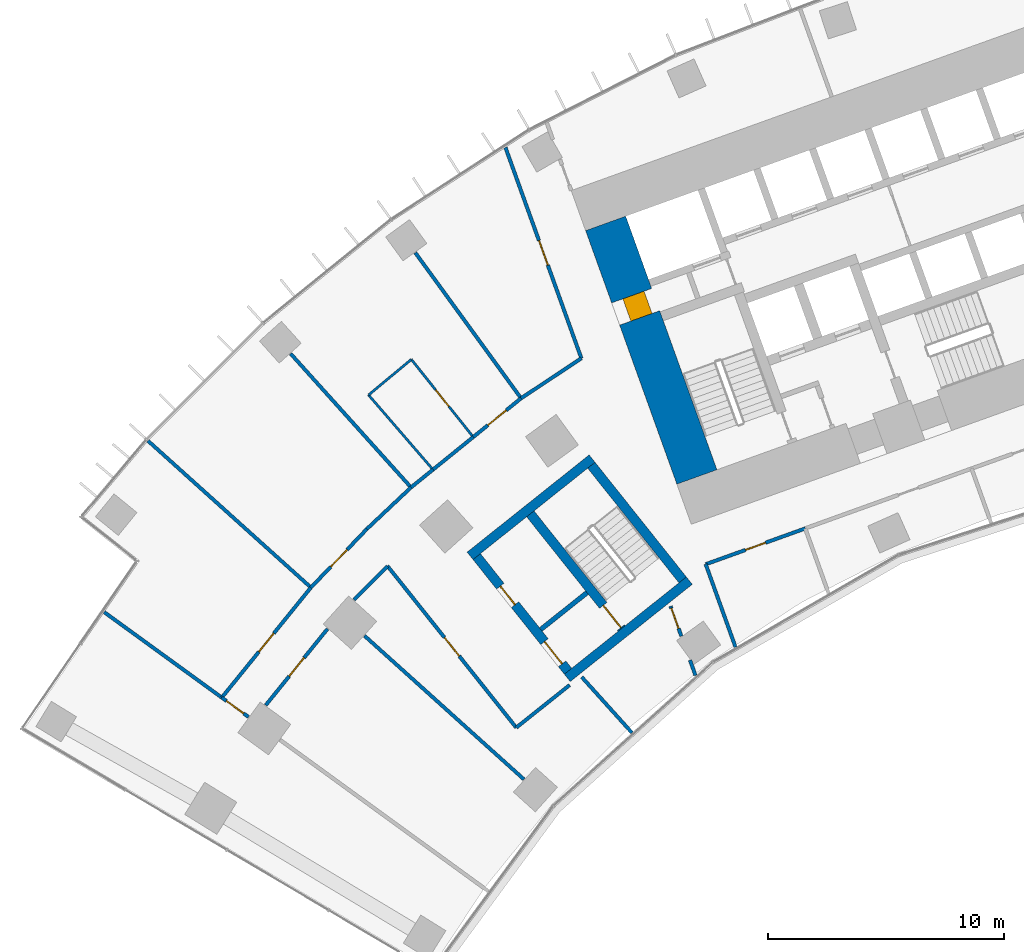
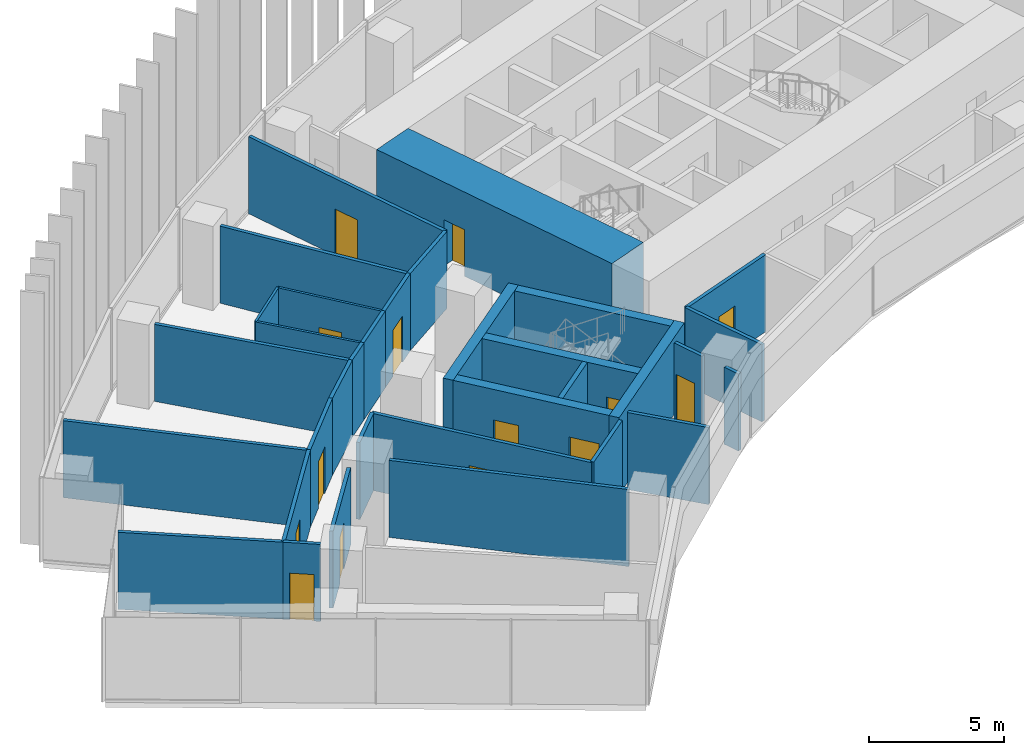
# One storey, part 17 of 24: 33 walls, 14 doors, 14 openings.
"""IFC4 building model written with IfcOpenShell, lengths in metres."""

from ifc_helpers import new_model, si_unit, direction, frame, frame_2d, origin, place, context, subcontext, project, spatial, rectangle, extrude, material, layer, layer_set, type_object, element, fill, save


model = new_model("IFC4")

# Units and contexts
model_context = context("Model", 3, precision=1e-05, world=origin(), true_north=direction((0.0, 1.0)))
body_context = subcontext(model_context, "Body", "Model", "MODEL_VIEW")
ifc_project = project(units=[si_unit("LENGTHUNIT", "METRE"), si_unit("AREAUNIT", "SQUARE_METRE"), si_unit("VOLUMEUNIT", "CUBIC_METRE"), si_unit("PLANEANGLEUNIT", "RADIAN"), si_unit("MASSUNIT", "GRAM", prefix="KILO")], contexts=[model_context])

# Site, building, storey
site_placement = place(None, origin())
site = spatial("IfcSite", under=ifc_project, at=site_placement, CompositionType="ELEMENT")
building_placement = place(site_placement, origin())
building = spatial("IfcBuilding", under=site, at=building_placement, Name="Stone Belt Terrace Tower", CompositionType="ELEMENT")
storey_placement = place(building_placement, frame((0.0, 0.0, 64.199951171875)))
storey = spatial("IfcBuildingStorey", under=building, at=storey_placement, Name="L15", CompositionType="ELEMENT", Elevation=64.199951171875)

# Wall, opening, door
ifc_material_1 = material(Name="Concrete B80", Category="concrete")
ifc_layer_1 = layer(ifc_material_1, 1.800048828125)
ifc_layer_set_1 = layer_set([ifc_layer_1], Name="Core wall 1800 B80")
wall_type_1 = type_object("IfcWallType", Name="Core wall 1800 B80", PredefinedType="SHEAR", material=ifc_layer_set_1)
wall_1_placement = place(storey_placement, frame((-26.197509765625, 42.96728515625, 0.0), z_axis=(0.0, 0.0, 1.0), x_axis=(-0.338625431531, 0.940921259788, 0.0)))
wall_1 = element("IfcWall", 1, at=wall_1_placement, inside=storey, type_object=wall_type_1, Name="Core A wall end_a L15", PredefinedType="SHEAR", context=body_context, shape_type="SweptSolid", body=[
    extrude(rectangle(XDim=11.400146484375, YDim=1.800048828125, at=frame_2d((5.7001953125, 0.0))), origin(), (0.0, 0.0, 1.0), 3.800048828125),
])
opening_1_placement = place(wall_1_placement, frame((7.150146484375, 0.0, 0.0)))
opening_1 = element("IfcOpeningElement", 2, at=opening_1_placement, cuts=wall_1, Name="Opening L15-C01", PredefinedType="OPENING", context=body_context, shape_type="SweptSolid", body=[
    extrude(rectangle(XDim=1.0, YDim=2.10009765625, at=frame_2d((0.5, 1.050048828125))), frame((0.0, 0.909912109375, 0.0), z_axis=(0.0, -1.0, 0.0), x_axis=(1.0, 0.0, 0.0)), (0.0, 0.0, 1.0), 1.820068359375),
])
ifc_material_2 = material(Name="Timber door leaf", Category="wood")
door_type_1 = type_object("IfcDoorType", Name="Core room door 1000", OperationType="SINGLE_SWING_LEFT", PredefinedType="DOOR", material=ifc_material_2)
door_1_placement = place(opening_1_placement, origin())
door_1 = element("IfcDoor", 3, at=door_1_placement, inside=storey, type_object=door_type_1, Name="Door to Telecommunications riser room core A", OperationType="SINGLE_SWING_RIGHT", OverallHeight=2.10009765625, OverallWidth=1.0, PredefinedType="DOOR", context=body_context, shape_type="SweptSolid", body=[
    extrude(rectangle(XDim=1.0, YDim=2.10009765625, at=frame_2d((0.5, 1.050048828125))), frame((0.0, 0.39501953125, 0.0), z_axis=(0.0, -1.0, 0.0), x_axis=(1.0, 0.0, 0.0)), (0.0, 0.0, 1.0), 0.949951171875),
])
fill(opening_1, door_1)

ifc_material_3 = material(Name="Gypsum board partition")
ifc_layer_2 = layer(ifc_material_3, 0.10009765625)
ifc_layer_set_2 = layer_set([ifc_layer_2], Name="PARTITION 100")
wall_type_2 = type_object("IfcWallType", Name="PARTITION 100", PredefinedType="PARTITIONING", material=ifc_layer_set_2)
wall_2_placement = place(storey_placement, frame((-35.658935546875, 44.657958984375, 0.0), z_axis=(0.0, 0.0, 1.0), x_axis=(-0.623872039907, 0.781526504875, 0.0)))
wall_2 = element("IfcWall", 4, at=wall_2_placement, inside=storey, type_object=wall_type_2, Name="L15/wall/i054", PredefinedType="PARTITIONING", context=body_context, shape_type="SweptSolid", body=[
    extrude(rectangle(XDim=4.1982421875, YDim=0.10009765625, at=frame_2d((2.09912109375, 0.0))), origin(), (0.0, 0.0, 1.0), 3.47998046875),
])
opening_2_placement = place(wall_2_placement, frame((1.649169921875, 0.0, 0.0)))
opening_2 = element("IfcOpeningElement", 5, at=opening_2_placement, cuts=wall_2, Name="Opening D-A4-18", PredefinedType="OPENING", context=body_context, shape_type="SweptSolid", body=[
    extrude(rectangle(XDim=0.89990234375, YDim=2.10009765625, at=frame_2d((0.449951171875, 1.050048828125))), frame((0.0, 0.06005859375, 0.0), z_axis=(0.0, -1.0, 0.0), x_axis=(1.0, 0.0, 0.0)), (0.0, 0.0, 1.0), 0.1201171875),
])
door_type_2 = type_object("IfcDoorType", Name="OFFICE DOOR 900 X 2100", OperationType="NOTDEFINED", PredefinedType="DOOR", material=ifc_material_2)
door_2_placement = place(opening_2_placement, origin())
door_2 = element("IfcDoor", 6, at=door_2_placement, inside=storey, type_object=door_type_2, Name="L15/door/i18", OperationType="SINGLE_SWING_RIGHT", OverallHeight=2.10009765625, OverallWidth=0.89990234375, PredefinedType="DOOR", context=body_context, shape_type="SweptSolid", body=[
    extrude(rectangle(XDim=0.89990234375, YDim=2.10009765625, at=frame_2d((0.449951171875, 1.050048828125))), frame((0.0, 0.02490234375, 0.0), z_axis=(0.0, -1.0, 0.0), x_axis=(1.0, 0.0, 0.0)), (0.0, 0.0, 1.0), 0.050048828125),
])
fill(opening_2, door_2)

# Walls
wall_3_placement = place(storey_placement, frame((-38.278076171875, 47.93896484375, 0.0), z_axis=(0.0, 0.0, 1.0), x_axis=(-0.769317491723, -0.63886665035, 0.0)))
element("IfcWall", 7, at=wall_3_placement, inside=storey, type_object=wall_type_2, Name="L15/wall/i055", PredefinedType="PARTITIONING", context=body_context, shape_type="SweptSolid", body=[
    extrude(rectangle(XDim=2.3525390625, YDim=0.10009765625, at=frame_2d((1.17626953125, 0.0))), origin(), (0.0, 0.0, 1.0), 3.47998046875),
])
wall_4_placement = place(storey_placement, frame((-40.087890625, 46.43603515625, 0.0), z_axis=(0.0, 0.0, 1.0), x_axis=(0.653414148452, -0.757000627875, 0.0)))
element("IfcWall", 8, at=wall_4_placement, inside=storey, type_object=wall_type_2, Name="L15/wall/i056", PredefinedType="PARTITIONING", context=body_context, shape_type="SweptSolid", body=[
    extrude(rectangle(XDim=4.171630859375, YDim=0.10009765625, at=frame_2d((2.0859375, 0.0))), origin(), (0.0, 0.0, 1.0), 3.47998046875),
])
ifc_layer_3 = layer(ifc_material_3, 0.14990234375)
ifc_layer_set_3 = layer_set([ifc_layer_3], Name="PARTITION 150 EI 60")
wall_type_3 = type_object("IfcWallType", Name="PARTITION 150 EI 60", PredefinedType="PARTITIONING", material=ifc_layer_set_3)
wall_5_placement = place(storey_placement, frame((-25.826904296875, 39.281005859375, 0.0), z_axis=(0.0, 0.0, 1.0), x_axis=(0.338392582605, -0.941005026574, 0.0)))
element("IfcWall", 9, at=wall_5_placement, inside=storey, type_object=wall_type_3, Name="L15/wall/i001", PredefinedType="PARTITIONING", context=body_context, shape_type="SweptSolid", body=[
    extrude(rectangle(XDim=3.729248046875, YDim=0.14990234375, at=frame_2d((1.86474609375, 0.0))), origin(), (0.0, 0.0, 1.0), 3.47998046875),
])
wall_6_placement = place(storey_placement, frame((-26.25732421875, 34.572021484375, 0.0), z_axis=(0.0, 0.0, 1.0), x_axis=(-0.338832657553, 0.940846656037, 0.0)))
element("IfcWall", 10, at=wall_6_placement, inside=storey, type_object=wall_type_3, Name="L15/wall/i004", PredefinedType="PARTITIONING", context=body_context, shape_type="SweptSolid", body=[
    extrude(rectangle(XDim=0.6875, YDim=0.14990234375, at=frame_2d((0.34375, 0.0))), origin(), (0.0, 0.0, 1.0), 3.47998046875),
])

# Wall, opening, door
wall_7_placement = place(storey_placement, frame((-26.85595703125, 36.234619140625, 0.0), z_axis=(0.0, 0.0, 1.0), x_axis=(-0.338828657155, 0.940848096714, 0.0)))
wall_7 = element("IfcWall", 11, at=wall_7_placement, inside=storey, type_object=wall_type_3, Name="L15/wall/i005", PredefinedType="PARTITIONING", context=body_context, shape_type="SweptSolid", body=[
    extrude(rectangle(XDim=1.345947265625, YDim=0.14990234375, at=frame_2d((0.6728515625, 0.0))), origin(), (0.0, 0.0, 1.0), 3.47998046875),
])
opening_3_placement = place(wall_7_placement, frame((0.3515625, 0.0, 0.0)))
opening_3 = element("IfcOpeningElement", 12, at=opening_3_placement, cuts=wall_7, Name="Opening D-A4-13", PredefinedType="OPENING", context=body_context, shape_type="SweptSolid", body=[
    extrude(rectangle(XDim=0.89990234375, YDim=2.10009765625, at=frame_2d((0.449951171875, 1.050048828125))), frame((0.0, 0.0849609375, 0.0), z_axis=(0.0, -1.0, 0.0), x_axis=(1.0, 0.0, 0.0)), (0.0, 0.0, 1.0), 0.169921875),
])
ifc_material_4 = material(Name="Timber fire door leaf", Category="wood")
door_type_3 = type_object("IfcDoorType", Name="TENANCY ENTRANCE DOOR 900 X 2100", OperationType="NOTDEFINED", PredefinedType="DOOR", material=ifc_material_4)
door_3_placement = place(opening_3_placement, origin())
door_3 = element("IfcDoor", 13, at=door_3_placement, inside=storey, type_object=door_type_3, Name="L15/door/i13", OperationType="SINGLE_SWING_RIGHT", OverallHeight=2.10009765625, OverallWidth=0.89990234375, PredefinedType="DOOR", context=body_context, shape_type="SweptSolid", body=[
    extrude(rectangle(XDim=0.89990234375, YDim=2.10009765625, at=frame_2d((0.449951171875, 1.050048828125))), frame((0.0, 0.02490234375, 0.0), z_axis=(0.0, -1.0, 0.0), x_axis=(1.0, 0.0, 0.0)), (0.0, 0.0, 1.0), 0.050048828125),
])
fill(opening_3, door_3)

wall_8_placement = place(storey_placement, frame((-31.0830078125, 47.98193359375, 0.0), z_axis=(0.0, 0.0, 1.0), x_axis=(-0.338806014878, 0.940856250594, 0.0)))
wall_8 = element("IfcWall", 14, at=wall_8_placement, inside=storey, type_object=wall_type_3, Name="L15/wall/i006", PredefinedType="PARTITIONING", context=body_context, shape_type="SweptSolid", body=[
    extrude(rectangle(XDim=9.489501953125, YDim=0.14990234375, at=frame_2d((4.74462890625, 0.0))), origin(), (0.0, 0.0, 1.0), 3.47998046875),
])
opening_4_placement = place(wall_8_placement, frame((4.194580078125, 0.0, 0.0)))
opening_4 = element("IfcOpeningElement", 15, at=opening_4_placement, cuts=wall_8, Name="Opening D-A4-16", PredefinedType="OPENING", context=body_context, shape_type="SweptSolid", body=[
    extrude(rectangle(XDim=1.10009765625, YDim=2.10009765625, at=frame_2d((0.550048828125, 1.050048828125))), frame((0.0, 0.0849609375, 0.0), z_axis=(0.0, -1.0, 0.0), x_axis=(1.0, 0.0, 0.0)), (0.0, 0.0, 1.0), 0.169921875),
])
ifc_material_5 = material(Name="Steel fire door set", Category="steel")
door_type_4 = type_object("IfcDoorType", Name="SERVICE ROOM DOOR 1100 X 2100", OperationType="NOTDEFINED", PredefinedType="DOOR", material=ifc_material_5)
door_4_placement = place(opening_4_placement, origin())
door_4 = element("IfcDoor", 16, at=door_4_placement, inside=storey, type_object=door_type_4, Name="L15/door/i16", OperationType="SINGLE_SWING_LEFT", OverallHeight=2.10009765625, OverallWidth=1.10009765625, PredefinedType="DOOR", context=body_context, shape_type="SweptSolid", body=[
    extrude(rectangle(XDim=1.10009765625, YDim=2.10009765625, at=frame_2d((0.550048828125, 1.050048828125))), frame((0.0, 0.02490234375, 0.0), z_axis=(0.0, -1.0, 0.0), x_axis=(1.0, 0.0, 0.0)), (0.0, 0.0, 1.0), 0.050048828125),
])
fill(opening_4, door_4)

wall_9_placement = place(storey_placement, frame((-21.610107421875, 40.7919921875, 0.0), z_axis=(0.0, 0.0, 1.0), x_axis=(-0.940905474606, -0.338669289805, 0.0)))
wall_9 = element("IfcWall", 17, at=wall_9_placement, inside=storey, type_object=wall_type_3, Name="L15/wall/i011", PredefinedType="PARTITIONING", context=body_context, shape_type="SweptSolid", body=[
    extrude(rectangle(XDim=4.4794921875, YDim=0.14990234375, at=frame_2d((2.23974609375, 0.0))), origin(), (0.0, 0.0, 1.0), 3.47998046875),
])
opening_5_placement = place(wall_9_placement, frame((1.789794921875, 0.0, 0.0)))
opening_5 = element("IfcOpeningElement", 18, at=opening_5_placement, cuts=wall_9, Name="Opening D-A4-01", PredefinedType="OPENING", context=body_context, shape_type="SweptSolid", body=[
    extrude(rectangle(XDim=0.89990234375, YDim=2.10009765625, at=frame_2d((0.449951171875, 1.050048828125))), frame((0.0, 0.0849609375, 0.0), z_axis=(0.0, -1.0, 0.0), x_axis=(1.0, 0.0, 0.0)), (0.0, 0.0, 1.0), 0.169921875),
])
door_5_placement = place(opening_5_placement, origin())
door_5 = element("IfcDoor", 19, at=door_5_placement, inside=storey, type_object=door_type_2, Name="L15/door/i01", OperationType="SINGLE_SWING_RIGHT", OverallHeight=2.10009765625, OverallWidth=0.89990234375, PredefinedType="DOOR", context=body_context, shape_type="SweptSolid", body=[
    extrude(rectangle(XDim=0.89990234375, YDim=2.10009765625, at=frame_2d((0.449951171875, 1.050048828125))), frame((0.0, 0.02490234375, 0.0), z_axis=(0.0, -1.0, 0.0), x_axis=(1.0, 0.0, 0.0)), (0.0, 0.0, 1.0), 0.050048828125),
])
fill(opening_5, door_5)

wall_10_placement = place(storey_placement, frame((-45.167236328125, 32.816162109375, 0.0), z_axis=(0.0, 0.0, 1.0), x_axis=(-0.809353623303, 0.587321643094, 0.0)))
wall_10 = element("IfcWall", 20, at=wall_10_placement, inside=storey, type_object=wall_type_3, Name="L15/wall/i037", PredefinedType="PARTITIONING", context=body_context, shape_type="SweptSolid", body=[
    extrude(rectangle(XDim=1.40087890625, YDim=0.14990234375, at=frame_2d((0.700439453125, 0.0))), origin(), (0.0, 0.0, 1.0), 3.47998046875),
])
opening_6_placement = place(wall_10_placement, frame((0.25048828125, 0.0, 0.0)))
opening_6 = element("IfcOpeningElement", 21, at=opening_6_placement, cuts=wall_10, Name="Opening D-A4-12", PredefinedType="OPENING", context=body_context, shape_type="SweptSolid", body=[
    extrude(rectangle(XDim=0.89990234375, YDim=2.10009765625, at=frame_2d((0.449951171875, 1.050048828125))), frame((0.0, 0.0849609375, 0.0), z_axis=(0.0, -1.0, 0.0), x_axis=(1.0, 0.0, 0.0)), (0.0, 0.0, 1.0), 0.169921875),
])
door_6_placement = place(opening_6_placement, origin())
door_6 = element("IfcDoor", 22, at=door_6_placement, inside=storey, type_object=door_type_2, Name="L15/door/i12", OperationType="SINGLE_SWING_RIGHT", OverallHeight=2.10009765625, OverallWidth=0.89990234375, PredefinedType="DOOR", context=body_context, shape_type="SweptSolid", body=[
    extrude(rectangle(XDim=0.89990234375, YDim=2.10009765625, at=frame_2d((0.449951171875, 1.050048828125))), frame((0.0, 0.02490234375, 0.0), z_axis=(0.0, -1.0, 0.0), x_axis=(1.0, 0.0, 0.0)), (0.0, 0.0, 1.0), 0.050048828125),
])
fill(opening_6, door_6)

# Walls
wall_11_placement = place(storey_placement, frame((-51.27294921875, 37.251708984375, 0.0), z_axis=(0.0, 0.0, 1.0), x_axis=(0.809013729568, -0.587789745887, 0.0)))
element("IfcWall", 23, at=wall_11_placement, inside=storey, type_object=wall_type_3, Name="L15/wall/i039", PredefinedType="PARTITIONING", context=body_context, shape_type="SweptSolid", body=[
    extrude(rectangle(XDim=6.157958984375, YDim=0.14990234375, at=frame_2d((3.0791015625, 0.0))), origin(), (0.0, 0.0, 1.0), 3.47998046875),
])
wall_12_placement = place(storey_placement, frame((-33.635986328125, 46.2958984375, 0.0), z_axis=(0.0, 0.0, 1.0), x_axis=(0.833385857539, 0.552691607005, 0.0)))
element("IfcWall", 24, at=wall_12_placement, inside=storey, type_object=wall_type_3, Name="L15/wall/i040", PredefinedType="PARTITIONING", context=body_context, shape_type="SweptSolid", body=[
    extrude(rectangle(XDim=3.059814453125, YDim=0.14990234375, at=frame_2d((1.52978515625, 0.0))), origin(), (0.0, 0.0, 1.0), 3.47998046875),
])
wall_13_placement = place(storey_placement, frame((-38.2900390625, 42.527099609375, 0.0), z_axis=(0.0, 0.0, 1.0), x_axis=(0.777443786305, 0.628952429946, 0.0)))
element("IfcWall", 25, at=wall_13_placement, inside=storey, type_object=wall_type_3, Name="L15/wall/i041", PredefinedType="PARTITIONING", context=body_context, shape_type="SweptSolid", body=[
    extrude(rectangle(XDim=1.2001953125, YDim=0.14990234375, at=frame_2d((0.60009765625, 0.0))), origin(), (0.0, 0.0, 1.0), 3.47998046875),
])

# Wall, opening, door
wall_14_placement = place(storey_placement, frame((-35.6630859375, 44.654052734375, 0.0), z_axis=(0.0, 0.0, 1.0), x_axis=(0.777083561477, 0.629397440797, 0.0)))
wall_14 = element("IfcWall", 26, at=wall_14_placement, inside=storey, type_object=wall_type_3, Name="L15/wall/i042", PredefinedType="PARTITIONING", context=body_context, shape_type="SweptSolid", body=[
    extrude(rectangle(XDim=2.608642578125, YDim=0.14990234375, at=frame_2d((1.30419921875, 0.0))), origin(), (0.0, 0.0, 1.0), 3.47998046875),
])
opening_7_placement = place(wall_14_placement, frame((0.80419921875, 0.0, 0.0)))
opening_7 = element("IfcOpeningElement", 27, at=opening_7_placement, cuts=wall_14, Name="Opening D-A4-17", PredefinedType="OPENING", context=body_context, shape_type="SweptSolid", body=[
    extrude(rectangle(XDim=1.0, YDim=2.10009765625, at=frame_2d((0.5, 1.050048828125))), frame((0.0, 0.0849609375, 0.0), z_axis=(0.0, -1.0, 0.0), x_axis=(1.0, 0.0, 0.0)), (0.0, 0.0, 1.0), 0.169921875),
])
door_type_5 = type_object("IfcDoorType", Name="TENANCY ENTRANCE DOOR 1000 X 2100", OperationType="NOTDEFINED", PredefinedType="DOOR", material=ifc_material_4)
door_7_placement = place(opening_7_placement, origin())
door_7 = element("IfcDoor", 28, at=door_7_placement, inside=storey, type_object=door_type_5, Name="L15/door/i17", OperationType="SINGLE_SWING_RIGHT", OverallHeight=2.10009765625, OverallWidth=1.0, PredefinedType="DOOR", context=body_context, shape_type="SweptSolid", body=[
    extrude(rectangle(XDim=1.0, YDim=2.10009765625, at=frame_2d((0.5, 1.050048828125))), frame((0.0, 0.02490234375, 0.0), z_axis=(0.0, -1.0, 0.0), x_axis=(1.0, 0.0, 0.0)), (0.0, 0.0, 1.0), 0.050048828125),
])
fill(opening_7, door_7)

# Walls
wall_15_placement = place(storey_placement, frame((-37.366943359375, 43.27392578125, 0.0), z_axis=(0.0, 0.0, 1.0), x_axis=(0.777170056784, 0.629290634634, 0.0)))
element("IfcWall", 29, at=wall_15_placement, inside=storey, type_object=wall_type_3, Name="L15/wall/i043", PredefinedType="PARTITIONING", context=body_context, shape_type="SweptSolid", body=[
    extrude(rectangle(XDim=2.2041015625, YDim=0.14990234375, at=frame_2d((1.10205078125, 0.0))), origin(), (0.0, 0.0, 1.0), 3.47998046875),
])
wall_16_placement = place(storey_placement, frame((-40.1640625, 40.761962890625, 0.0), z_axis=(0.0, 0.0, 1.0), x_axis=(0.727996599904, 0.685580739613, 0.0)))
element("IfcWall", 30, at=wall_16_placement, inside=storey, type_object=wall_type_3, Name="L15/wall/i044", PredefinedType="PARTITIONING", context=body_context, shape_type="SweptSolid", body=[
    extrude(rectangle(XDim=2.572998046875, YDim=0.14990234375, at=frame_2d((1.28662109375, 0.0))), origin(), (0.0, 0.0, 1.0), 3.47998046875),
])
wall_17_placement = place(storey_placement, frame((-39.285888671875, 39.200927734375, 0.0), z_axis=(0.0, 0.0, 1.0), x_axis=(-0.707106781187, -0.707106781187, 0.0)))
element("IfcWall", 31, at=wall_17_placement, inside=storey, type_object=wall_type_3, Name="L15/wall/i045", PredefinedType="PARTITIONING", context=body_context, shape_type="SweptSolid", body=[
    extrude(rectangle(XDim=2.017333984375, YDim=0.14990234375, at=frame_2d((1.0087890625, 0.0))), origin(), (0.0, 0.0, 1.0), 3.47998046875),
])

# Wall, opening, door
wall_18_placement = place(storey_placement, frame((-41.82373046875, 36.541259765625, 0.0), z_axis=(0.0, 0.0, 1.0), x_axis=(-0.629213442028, -0.777232554884, 0.0)))
wall_18 = element("IfcWall", 32, at=wall_18_placement, inside=storey, type_object=wall_type_3, Name="L15/wall/i046", PredefinedType="PARTITIONING", context=body_context, shape_type="SweptSolid", body=[
    extrude(rectangle(XDim=4.15478515625, YDim=0.14990234375, at=frame_2d((2.077392578125, 0.0))), origin(), (0.0, 0.0, 1.0), 3.47998046875),
])
opening_8_placement = place(wall_18_placement, frame((1.577392578125, 0.0, 0.0)))
opening_8 = element("IfcOpeningElement", 33, at=opening_8_placement, cuts=wall_18, Name="Opening D-A4-15", PredefinedType="OPENING", context=body_context, shape_type="SweptSolid", body=[
    extrude(rectangle(XDim=1.0, YDim=2.10009765625, at=frame_2d((0.5, 1.050048828125))), frame((0.0, 0.0849609375, 0.0), z_axis=(0.0, -1.0, 0.0), x_axis=(1.0, 0.0, 0.0)), (0.0, 0.0, 1.0), 0.169921875),
])
door_8_placement = place(opening_8_placement, origin())
door_8 = element("IfcDoor", 34, at=door_8_placement, inside=storey, type_object=door_type_5, Name="L15/door/i15", OperationType="SINGLE_SWING_RIGHT", OverallHeight=2.10009765625, OverallWidth=1.0, PredefinedType="DOOR", context=body_context, shape_type="SweptSolid", body=[
    extrude(rectangle(XDim=1.0, YDim=2.10009765625, at=frame_2d((0.5, 1.050048828125))), frame((0.0, 0.02490234375, 0.0), z_axis=(0.0, -1.0, 0.0), x_axis=(1.0, 0.0, 0.0)), (0.0, 0.0, 1.0), 0.050048828125),
])
fill(opening_8, door_8)

wall_19_placement = place(storey_placement, frame((-42.52587890625, 38.291015625, 0.0), z_axis=(0.0, 0.0, 1.0), x_axis=(0.690963131402, 0.722889999269, 0.0)))
wall_19 = element("IfcWall", 35, at=wall_19_placement, inside=storey, type_object=wall_type_3, Name="L15/wall/i047", PredefinedType="PARTITIONING", context=body_context, shape_type="SweptSolid", body=[
    extrude(rectangle(XDim=3.418212890625, YDim=0.14990234375, at=frame_2d((1.708984375, 0.0))), origin(), (0.0, 0.0, 1.0), 3.47998046875),
])
opening_9_placement = place(wall_19_placement, frame((1.209228515625, 0.0, 0.0)))
opening_9 = element("IfcOpeningElement", 36, at=opening_9_placement, cuts=wall_19, Name="Opening D-A4-19", PredefinedType="OPENING", context=body_context, shape_type="SweptSolid", body=[
    extrude(rectangle(XDim=1.0, YDim=2.10009765625, at=frame_2d((0.5, 1.050048828125))), frame((0.0, 0.0849609375, 0.0), z_axis=(0.0, -1.0, 0.0), x_axis=(1.0, 0.0, 0.0)), (0.0, 0.0, 1.0), 0.169921875),
])
door_9_placement = place(opening_9_placement, origin())
door_9 = element("IfcDoor", 37, at=door_9_placement, inside=storey, type_object=door_type_5, Name="L15/door/i19", OperationType="SINGLE_SWING_RIGHT", OverallHeight=2.10009765625, OverallWidth=1.0, PredefinedType="DOOR", context=body_context, shape_type="SweptSolid", body=[
    extrude(rectangle(XDim=1.0, YDim=2.10009765625, at=frame_2d((0.5, 1.050048828125))), frame((0.0, 0.02490234375, 0.0), z_axis=(0.0, -1.0, 0.0), x_axis=(1.0, 0.0, 0.0)), (0.0, 0.0, 1.0), 0.050048828125),
])
fill(opening_9, door_9)

wall_20_placement = place(storey_placement, frame((-46.2958984375, 33.635986328125, 0.0), z_axis=(0.0, 0.0, 1.0), x_axis=(0.629322532513, 0.77714422733, 0.0)))
wall_20 = element("IfcWall", 38, at=wall_20_placement, inside=storey, type_object=wall_type_3, Name="L15/wall/i048", PredefinedType="PARTITIONING", context=body_context, shape_type="SweptSolid", body=[
    extrude(rectangle(XDim=5.98876953125, YDim=0.14990234375, at=frame_2d((2.994384765625, 0.0))), origin(), (0.0, 0.0, 1.0), 3.47998046875),
])
opening_10_placement = place(wall_20_placement, frame((2.494384765625, 0.0, 0.0)))
opening_10 = element("IfcOpeningElement", 39, at=opening_10_placement, cuts=wall_20, Name="Opening D-A4-20", PredefinedType="OPENING", context=body_context, shape_type="SweptSolid", body=[
    extrude(rectangle(XDim=1.0, YDim=2.10009765625, at=frame_2d((0.5, 1.050048828125))), frame((0.0, 0.0849609375, 0.0), z_axis=(0.0, -1.0, 0.0), x_axis=(1.0, 0.0, 0.0)), (0.0, 0.0, 1.0), 0.169921875),
])
door_10_placement = place(opening_10_placement, origin())
door_10 = element("IfcDoor", 40, at=door_10_placement, inside=storey, type_object=door_type_5, Name="L15/door/i20", OperationType="SINGLE_SWING_RIGHT", OverallHeight=2.10009765625, OverallWidth=1.0, PredefinedType="DOOR", context=body_context, shape_type="SweptSolid", body=[
    extrude(rectangle(XDim=1.0, YDim=2.10009765625, at=frame_2d((0.5, 1.050048828125))), frame((0.0, 0.02490234375, 0.0), z_axis=(0.0, -1.0, 0.0), x_axis=(1.0, 0.0, 0.0)), (0.0, 0.0, 1.0), 0.050048828125),
])
fill(opening_10, door_10)

# Wall
wall_21_placement = place(storey_placement, frame((-31.5810546875, 34.1650390625, 0.0), z_axis=(0.0, 0.0, 1.0), x_axis=(-0.782079504581, -0.623178665003, 0.0)))
element("IfcWall", 41, at=wall_21_placement, inside=storey, type_object=wall_type_3, Name="L15/wall/i049", PredefinedType="PARTITIONING", context=body_context, shape_type="SweptSolid", body=[
    extrude(rectangle(XDim=2.888427734375, YDim=0.14990234375, at=frame_2d((1.4443359375, 0.0))), origin(), (0.0, 0.0, 1.0), 3.47998046875),
])

# Wall, opening, door
wall_22_placement = place(storey_placement, frame((-33.840087890625, 32.364990234375, 0.0), z_axis=(0.0, 0.0, 1.0), x_axis=(-0.623151683061, 0.782101003643, 0.0)))
wall_22 = element("IfcWall", 42, at=wall_22_placement, inside=storey, type_object=wall_type_3, Name="L15/wall/i050", PredefinedType="PARTITIONING", context=body_context, shape_type="SweptSolid", body=[
    extrude(rectangle(XDim=8.745849609375, YDim=0.14990234375, at=frame_2d((4.373046875, 0.0))), origin(), (0.0, 0.0, 1.0), 3.47998046875),
])
opening_11_placement = place(wall_22_placement, frame((3.872802734375, 0.0, 0.0)))
opening_11 = element("IfcOpeningElement", 43, at=opening_11_placement, cuts=wall_22, Name="Opening D-A4-14", PredefinedType="OPENING", context=body_context, shape_type="SweptSolid", body=[
    extrude(rectangle(XDim=1.0, YDim=2.10009765625, at=frame_2d((0.5, 1.050048828125))), frame((0.0, 0.0849609375, 0.0), z_axis=(0.0, -1.0, 0.0), x_axis=(1.0, 0.0, 0.0)), (0.0, 0.0, 1.0), 0.169921875),
])
door_11_placement = place(opening_11_placement, origin())
door_11 = element("IfcDoor", 44, at=door_11_placement, inside=storey, type_object=door_type_5, Name="L15/door/i14", OperationType="SINGLE_SWING_RIGHT", OverallHeight=2.10009765625, OverallWidth=1.0, PredefinedType="DOOR", context=body_context, shape_type="SweptSolid", body=[
    extrude(rectangle(XDim=1.0, YDim=2.10009765625, at=frame_2d((0.5, 1.050048828125))), frame((0.0, 0.02490234375, 0.0), z_axis=(0.0, -1.0, 0.0), x_axis=(1.0, 0.0, 0.0)), (0.0, 0.0, 1.0), 0.050048828125),
])
fill(opening_11, door_11)

# Walls
wall_23_placement = place(storey_placement, frame((-28.94775390625, 32.149658203125, 0.0), z_axis=(0.0, 0.0, 1.0), x_axis=(-0.669245279782, 0.74304155704, 0.0)))
element("IfcWall", 45, at=wall_23_placement, inside=storey, type_object=wall_type_3, Name="L15/wall/i051", PredefinedType="PARTITIONING", context=body_context, shape_type="SweptSolid", body=[
    extrude(rectangle(XDim=3.172607421875, YDim=0.14990234375, at=frame_2d((1.58642578125, 0.0))), origin(), (0.0, 0.0, 1.0), 3.47998046875),
])
wall_24_placement = place(storey_placement, frame((-33.515869140625, 30.177734375, 0.0), z_axis=(0.0, 0.0, 1.0), x_axis=(-0.743122805234, 0.669155061508, 0.0)))
element("IfcWall", 46, at=wall_24_placement, inside=storey, type_object=wall_type_3, Name="L15/wall/i052", PredefinedType="PARTITIONING", context=body_context, shape_type="SweptSolid", body=[
    extrude(rectangle(XDim=9.070068359375, YDim=0.14990234375, at=frame_2d((4.53515625, 0.0))), origin(), (0.0, 0.0, 1.0), 3.47998046875),
])
wall_25_placement = place(storey_placement, frame((-33.635986328125, 46.2958984375, 0.0), z_axis=(0.0, 0.0, 1.0), x_axis=(-0.587784342943, 0.809017655055, 0.0)))
element("IfcWall", 47, at=wall_25_placement, inside=storey, type_object=wall_type_3, Name="L15/wall/i053", PredefinedType="PARTITIONING", context=body_context, shape_type="SweptSolid", body=[
    extrude(rectangle(XDim=7.60888671875, YDim=0.14990234375, at=frame_2d((3.804443359375, 0.0))), origin(), (0.0, 0.0, 1.0), 3.47998046875),
])
wall_26_placement = place(storey_placement, frame((-38.291015625, 42.52587890625, 0.0), z_axis=(0.0, 0.0, 1.0), x_axis=(-0.669060448127, 0.743207990237, 0.0)))
element("IfcWall", 48, at=wall_26_placement, inside=storey, type_object=wall_type_3, Name="L15/wall/i057", PredefinedType="PARTITIONING", context=body_context, shape_type="SweptSolid", body=[
    extrude(rectangle(XDim=7.609375, YDim=0.14990234375, at=frame_2d((3.8046875, 0.0))), origin(), (0.0, 0.0, 1.0), 3.47998046875),
])
wall_27_placement = place(storey_placement, frame((-42.52587890625, 38.291015625, 0.0), z_axis=(0.0, 0.0, 1.0), x_axis=(-0.743148838472, 0.66912614945, 0.0)))
element("IfcWall", 49, at=wall_27_placement, inside=storey, type_object=wall_type_3, Name="L15/wall/i058", PredefinedType="PARTITIONING", context=body_context, shape_type="SweptSolid", body=[
    extrude(rectangle(XDim=9.2744140625, YDim=0.14990234375, at=frame_2d((4.63720703125, 0.0))), origin(), (0.0, 0.0, 1.0), 3.47998046875),
])
ifc_material_6 = material(Name="Concrete masonry block", Category="masonry")
ifc_layer_4 = layer(ifc_material_6, 0.199951171875)
ifc_layer_set_4 = layer_set([ifc_layer_4], Name="Rated lobby wall 200")
wall_type_4 = type_object("IfcWallType", Name="Rated lobby wall 200", PredefinedType="PARTITIONING", material=ifc_layer_set_4)
wall_28_placement = place(storey_placement, frame((-30.845703125, 38.074951171875, 0.0), z_axis=(0.0, 0.0, 1.0), x_axis=(-0.782115323833, -0.623133709749, 0.0)))
element("IfcWall", 50, at=wall_28_placement, inside=storey, type_object=wall_type_4, Name="Exit stair ST3A wall", PredefinedType="PARTITIONING", context=body_context, shape_type="SweptSolid", body=[
    extrude(rectangle(XDim=2.5, YDim=0.199951171875, at=frame_2d((1.25, 0.0))), origin(), (0.0, 0.0, 1.0), 3.47998046875),
])
ifc_layer_5 = layer(ifc_material_1, 0.39990234375)
ifc_layer_set_5 = layer_set([ifc_layer_5], Name="Stair enclosure wall 400")
wall_type_5 = type_object("IfcWallType", Name="Stair enclosure wall 400", PredefinedType="SHEAR", material=ifc_layer_set_5)
for number, where, z_axis, x_axis, name in (
    (51, (-26.518798828125, 38.58154296875, 0.0), (0.0, 0.0, 1.0), (-0.782133914161, -0.623110375711, 0.0), "Exit stair ST3A wall"),
    (52, (-30.63134765625, 43.74365234375, 0.0), (0.0, 0.0, 1.0), (-0.782133914161, -0.623110375711, 0.0), "Exit stair ST3A wall"),
):
    element("IfcWall", number, at=place(storey_placement, frame(where, z_axis=z_axis, x_axis=x_axis)), inside=storey, type_object=wall_type_5, Name=name, PredefinedType="SHEAR", context=body_context, shape_type="SweptSolid", body=[
        extrude(rectangle(XDim=6.60009765625, YDim=0.39990234375, at=frame_2d((3.300048828125, 0.0))), origin(), (0.0, 0.0, 1.0), 3.47998046875),
    ])
wall_29_placement = place(storey_placement, frame((-26.7998046875, 38.61328125, 0.0), z_axis=(0.0, 0.0, 1.0), x_axis=(-0.623118653668, 0.782127319208, 0.0)))
element("IfcWall", 53, at=wall_29_placement, inside=storey, type_object=wall_type_5, Name="Exit stair ST3A wall", PredefinedType="SHEAR", context=body_context, shape_type="SweptSolid", body=[
    extrude(rectangle(XDim=6.199951171875, YDim=0.39990234375, at=frame_2d((3.10009765625, 0.0))), origin(), (0.0, 0.0, 1.0), 3.47998046875),
])

# Wall, openings, doors
wall_30_placement = place(storey_placement, frame((-31.64892578125, 34.75, 0.0), z_axis=(0.0, 0.0, 1.0), x_axis=(-0.623118653668, 0.782127319208, 0.0)))
wall_30 = element("IfcWall", 54, at=wall_30_placement, inside=storey, type_object=wall_type_5, Name="Exit stair ST3A wall", PredefinedType="SHEAR", context=body_context, shape_type="SweptSolid", body=[
    extrude(rectangle(XDim=6.199951171875, YDim=0.39990234375, at=frame_2d((3.10009765625, 0.0))), origin(), (0.0, 0.0, 1.0), 3.47998046875),
])
opening_12_placement = place(wall_30_placement, frame((0.39990234375, 0.0, 0.0)))
opening_12 = element("IfcOpeningElement", 55, at=opening_12_placement, cuts=wall_30, Name="Opening L15-C24", PredefinedType="OPENING", context=body_context, shape_type="SweptSolid", body=[
    extrude(rectangle(XDim=1.199951171875, YDim=2.10009765625, at=frame_2d((0.60009765625, 1.050048828125))), frame((0.0, 0.2099609375, 0.0), z_axis=(0.0, -1.0, 0.0), x_axis=(1.0, 0.0, 0.0)), (0.0, 0.0, 1.0), 0.419921875),
])
opening_13_placement = place(wall_30_placement, frame((3.60009765625, 0.0, 0.0)))
opening_13 = element("IfcOpeningElement", 56, at=opening_13_placement, cuts=wall_30, Name="Opening L15-C25", PredefinedType="OPENING", context=body_context, shape_type="SweptSolid", body=[
    extrude(rectangle(XDim=1.0, YDim=2.10009765625, at=frame_2d((0.5, 1.050048828125))), frame((0.0, 0.2099609375, 0.0), z_axis=(0.0, -1.0, 0.0), x_axis=(1.0, 0.0, 0.0)), (0.0, 0.0, 1.0), 0.419921875),
])
door_12_placement = place(opening_13_placement, origin())
door_12 = element("IfcDoor", 57, at=door_12_placement, inside=storey, type_object=door_type_1, Name="Door to stair pressurisation plant room ST3A", OperationType="SINGLE_SWING_RIGHT", OverallHeight=2.10009765625, OverallWidth=1.0, PredefinedType="DOOR", context=body_context, shape_type="SweptSolid", body=[
    extrude(rectangle(XDim=1.0, YDim=2.10009765625, at=frame_2d((0.5, 1.050048828125))), frame((0.0, 0.02490234375, 0.0), z_axis=(0.0, -1.0, 0.0), x_axis=(1.0, 0.0, 0.0)), (0.0, 0.0, 1.0), 0.050048828125),
])
fill(opening_13, door_12)
ifc_material_7 = material(Name="Steel door leaf", Category="steel")
door_type_6 = type_object("IfcDoorType", Name="Stair airlock door 1200", OperationType="SINGLE_SWING_LEFT", PredefinedType="DOOR", material=ifc_material_7)
door_13_placement = place(opening_12_placement, origin())
door_13 = element("IfcDoor", 58, at=door_13_placement, inside=storey, type_object=door_type_6, Name="Stair airlock door ST3A", OperationType="SINGLE_SWING_RIGHT", OverallHeight=2.10009765625, OverallWidth=1.199951171875, PredefinedType="DOOR", context=body_context, shape_type="SweptSolid", body=[
    extrude(rectangle(XDim=1.199951171875, YDim=2.10009765625, at=frame_2d((0.60009765625, 1.050048828125))), frame((0.0, 0.02490234375, 0.0), z_axis=(0.0, -1.0, 0.0), x_axis=(1.0, 0.0, 0.0)), (0.0, 0.0, 1.0), 0.050048828125),
])
fill(opening_12, door_13)

# Wall, opening, door
wall_31_placement = place(storey_placement, frame((-29.380859375, 36.556884765625, 0.0), z_axis=(0.0, 0.0, 1.0), x_axis=(-0.623099462847, 0.782142608097, 0.0)))
wall_31 = element("IfcWall", 59, at=wall_31_placement, inside=storey, type_object=wall_type_5, Name="Exit stair ST3A wall", PredefinedType="SHEAR", context=body_context, shape_type="SweptSolid", body=[
    extrude(rectangle(XDim=6.2001953125, YDim=0.39990234375, at=frame_2d((3.10009765625, 0.0))), origin(), (0.0, 0.0, 1.0), 3.47998046875),
])
opening_14_placement = place(wall_31_placement, frame((0.050048828125, 0.0, 0.0)))
opening_14 = element("IfcOpeningElement", 60, at=opening_14_placement, cuts=wall_31, Name="Opening L15-C23", PredefinedType="OPENING", context=body_context, shape_type="SweptSolid", body=[
    extrude(rectangle(XDim=1.199951171875, YDim=2.10009765625, at=frame_2d((0.60009765625, 1.050048828125))), frame((0.0, 0.2099609375, 0.0), z_axis=(0.0, -1.0, 0.0), x_axis=(1.0, 0.0, 0.0)), (0.0, 0.0, 1.0), 0.419921875),
])
door_type_7 = type_object("IfcDoorType", Name="Stair door 1200", OperationType="SINGLE_SWING_LEFT", PredefinedType="DOOR", material=ifc_material_7)
door_14_placement = place(opening_14_placement, origin())
door_14 = element("IfcDoor", 61, at=door_14_placement, inside=storey, type_object=door_type_7, Name="Stair door ST3A", OperationType="SINGLE_SWING_LEFT", OverallHeight=2.10009765625, OverallWidth=1.199951171875, PredefinedType="DOOR", context=body_context, shape_type="SweptSolid", body=[
    extrude(rectangle(XDim=1.199951171875, YDim=2.10009765625, at=frame_2d((0.60009765625, 1.050048828125))), frame((0.0, 0.02490234375, 0.0), z_axis=(0.0, -1.0, 0.0), x_axis=(1.0, 0.0, 0.0)), (0.0, 0.0, 1.0), 0.050048828125),
])
fill(opening_14, door_14)

save(model, "model.ifc")
